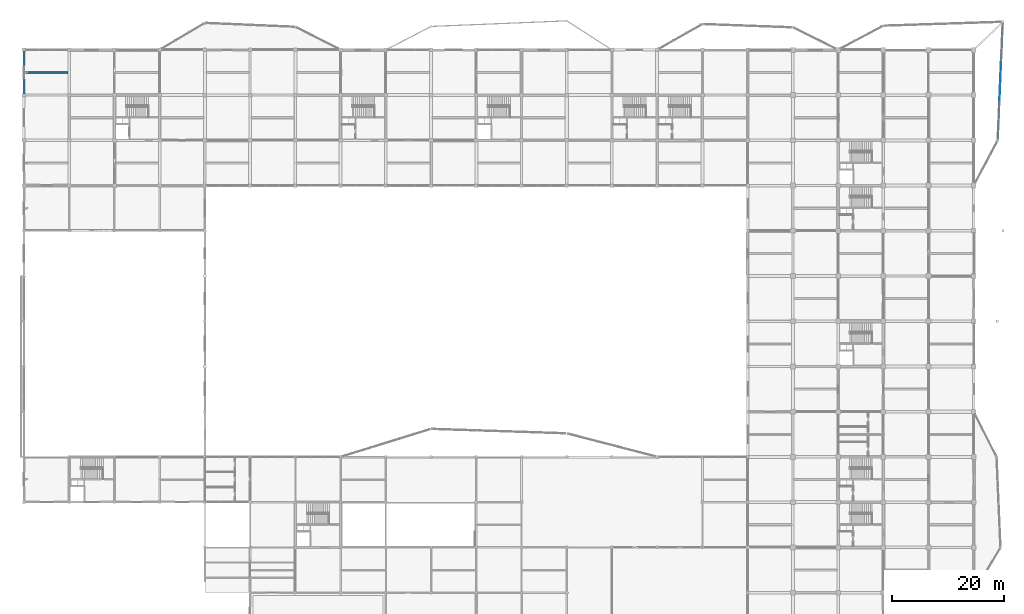
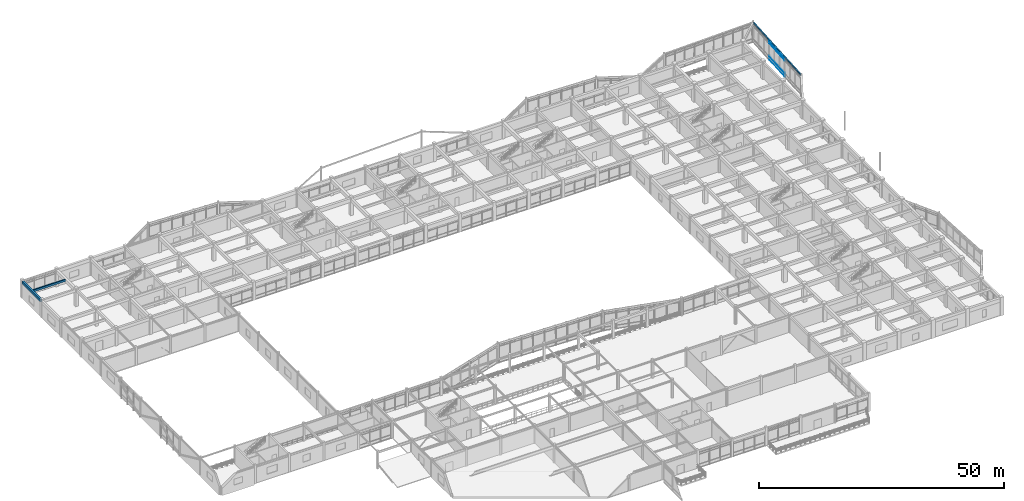
# One storey, part 42 of 93: 4 members, 3 beams, 1 element without a shape of its own.
"""IFC4 building model written with IfcOpenShell, lengths in metres."""

from ifc_helpers import new_model, si_unit, direction, frame, origin, origin_2d, place, context, subcontext, project, spatial, rectangle, i_section, extrude, material, layer, layer_set, material_profile, profile_set, type_object, element, aggregate, save


model = new_model("IFC4")

# Units and contexts
model_context = context("Model", 3, precision=1e-05, world=origin(), true_north=direction((0.0, 1.0)))
body_context = subcontext(model_context, "Body", "Model", "MODEL_VIEW")
ifc_project = project(units=[si_unit("LENGTHUNIT", "METRE"), si_unit("AREAUNIT", "SQUARE_METRE"), si_unit("VOLUMEUNIT", "CUBIC_METRE"), si_unit("PLANEANGLEUNIT", "RADIAN"), si_unit("MASSUNIT", "GRAM", prefix="KILO")], contexts=[model_context])

# Site, building, storey
site_placement = place(None, origin())
site = spatial("IfcSite", under=ifc_project, at=site_placement, CompositionType="ELEMENT")
building_placement = place(site_placement, origin())
building = spatial("IfcBuilding", under=site, at=building_placement, Name="Vaudrelin Polytechnic", CompositionType="ELEMENT")
storey_placement = place(building_placement, frame((0.0, 0.0, 5.10009765625)))
storey = spatial("IfcBuildingStorey", under=building, at=storey_placement, Name="L01", CompositionType="ELEMENT", Elevation=5.10009765625)

# Beams
ifc_material_1 = material(Name="Concrete 40 MPa", Category="concrete")
ifc_material_profile_1 = material_profile(ifc_material_1, rectangle(XDim=0.39990234375, YDim=0.64990234375, at=origin_2d()), Name="RC400x650")
ifc_profile_set_1 = profile_set([ifc_material_profile_1], Name="Concrete 40 MPa")
beam_type_1 = type_object("IfcBeamType", Name="BM-BM-RC4065", PredefinedType="BEAM", material=ifc_profile_set_1)
beam_1_placement = place(storey_placement, frame((0.0, 113.7099609375, 3.9248046875), z_axis=(0.0, 1.0, 0.0), x_axis=(-1.0, 0.0, 0.0)))
element("IfcBeam", 1, at=beam_1_placement, inside=storey, type_object=beam_type_1, Name="L01 Y-beam 1-15", PredefinedType="BEAM", context=body_context, shape_type="SweptSolid", body=[
    extrude(rectangle(XDim=0.39990234375, YDim=0.64990234375, at=origin_2d()), origin(), (0.0, 0.0, 1.0), 7.47998046875),
])
ifc_material_2 = material(Name="Steel CSA G40.21 350W", Category="steel")
ifc_material_profile_2 = material_profile(ifc_material_2, i_section(OverallWidth=0.280029296875, OverallDepth=0.462890625, WebThickness=0.0107421875, FlangeThickness=0.017333984375, FilletRadius=0.01806640625, at=origin_2d()), Name="W460x113")
ifc_profile_set_2 = profile_set([ifc_material_profile_2], Name="Steel CSA G40.21 350W")
beam_type_2 = type_object("IfcBeamType", Name="BM-BM-W460H", PredefinedType="BEAM", material=ifc_profile_set_2)
beam_2_placement = place(storey_placement, frame((175.294189453125, 126.360107421875, 4.078369140625), z_axis=(-0.042417646122, -0.999099966619, 0.0), x_axis=(0.999099966619, -0.042417646122, 0.0)))
element("IfcBeam", 2, at=beam_2_placement, inside=storey, type_object=beam_type_2, Name="Sculptural edge beam L01 NE_BM_3", PredefinedType="BEAM", context=body_context, shape_type="SweptSolid", body=[
    extrude(i_section(OverallWidth=0.280029296875, OverallDepth=0.462890625, WebThickness=0.0107421875, FlangeThickness=0.017333984375, FilletRadius=0.01806640625, at=origin_2d()), origin(), (0.0, 0.0, 1.0), 20.93896484375),
])
ifc_material_profile_3 = material_profile(ifc_material_1, rectangle(XDim=0.300048828125, YDim=0.5, at=origin_2d()), Name="RC300x500")
ifc_profile_set_3 = profile_set([ifc_material_profile_3], Name="Concrete 40 MPa")
beam_type_3 = type_object("IfcBeamType", Name="BM-JS-RC3050", PredefinedType="JOIST", material=ifc_profile_set_3)
beam_3_placement = place(storey_placement, frame((0.196044921875, 117.449951171875, 4.0), z_axis=(1.0, 0.0, 0.0), x_axis=(0.0, 1.0, 0.0)))
element("IfcBeam", 3, at=beam_3_placement, inside=storey, type_object=beam_type_3, Name="L01 floor joist 1-15", PredefinedType="JOIST", context=body_context, shape_type="SweptSolid", body=[
    extrude(rectangle(XDim=0.300048828125, YDim=0.5, at=origin_2d()), origin(), (0.0, 0.0, 1.0), 7.657958984375),
])

# Curtain wall, members
ifc_material_3 = material(Name="Thermally broken anodised aluminium AA 6063-T6 and low-e triple glazing", Category="aluminium")
ifc_layer = layer(ifc_material_3, 0.199951171875)
ifc_layer_set = layer_set([ifc_layer], Name="Thermally broken anodised aluminium AA 6063-T6 and low-e triple glazing")
curtain_wall_type = type_object("IfcCurtainWallType", Name="CW-CW-LAB", PredefinedType="USERDEFINED", material=ifc_layer_set)
curtain_wall_placement = place(storey_placement, origin())
curtain_wall = element("IfcCurtainWall", 4, at=curtain_wall_placement, inside=storey, type_object=curtain_wall_type, Name="Curtain wall L01 NEP_3_1", ObjectType="CURTAIN WALL", PredefinedType="USERDEFINED")
ifc_material_4 = material(Name="Anodised aluminium AA 6063-T6", Category="aluminium")
ifc_material_profile_4 = material_profile(ifc_material_4, rectangle(XDim=0.074951171875, YDim=0.1650390625, at=origin_2d()), Name="CWT-75x165")
ifc_profile_set_4 = profile_set([ifc_material_profile_4], Name="Anodised aluminium AA 6063-T6")
member_type = type_object("IfcMemberType", Name="MEM-CWT-165", PredefinedType="USERDEFINED", material=ifc_profile_set_4)
member_1_placement = place(storey_placement, frame((174.9951171875, 119.3203125, -0.580078125), z_axis=(-0.042403460566, -0.999100568778, 0.0), x_axis=(0.999100568778, -0.042403460566, 0.0)))
member_1 = element("IfcMember", 5, at=member_1_placement, type_object=member_type, Name="NEP_3_1 transom 1", ObjectType="TRANSOM", PredefinedType="USERDEFINED", context=body_context, shape_type="SweptSolid", body=[
    extrude(rectangle(XDim=0.074951171875, YDim=0.1650390625, at=origin_2d()), origin(), (0.0, 0.0, 1.0), 6.8974609375),
])
member_2_placement = place(storey_placement, frame((174.9951171875, 119.3203125, 0.219970703125), z_axis=(-0.042403460566, -0.999100568778, 0.0), x_axis=(0.999100568778, -0.042403460566, 0.0)))
member_2 = element("IfcMember", 6, at=member_2_placement, type_object=member_type, Name="NEP_3_1 transom 2", ObjectType="TRANSOM", PredefinedType="USERDEFINED", context=body_context, shape_type="SweptSolid", body=[
    extrude(rectangle(XDim=0.074951171875, YDim=0.1650390625, at=origin_2d()), origin(), (0.0, 0.0, 1.0), 6.8974609375),
])
member_3_placement = place(storey_placement, frame((174.9951171875, 119.3203125, 3.429931640625), z_axis=(-0.042403460566, -0.999100568778, 0.0), x_axis=(0.999100568778, -0.042403460566, 0.0)))
member_3 = element("IfcMember", 7, at=member_3_placement, type_object=member_type, Name="NEP_3_1 transom 3", ObjectType="TRANSOM", PredefinedType="USERDEFINED", context=body_context, shape_type="SweptSolid", body=[
    extrude(rectangle(XDim=0.074951171875, YDim=0.1650390625, at=origin_2d()), origin(), (0.0, 0.0, 1.0), 6.8974609375),
])
member_4_placement = place(storey_placement, frame((174.9951171875, 119.3203125, 3.929931640625), z_axis=(-0.042403460566, -0.999100568778, 0.0), x_axis=(0.999100568778, -0.042403460566, 0.0)))
member_4 = element("IfcMember", 8, at=member_4_placement, type_object=member_type, Name="NEP_3_1 transom 4", ObjectType="TRANSOM", PredefinedType="USERDEFINED", context=body_context, shape_type="SweptSolid", body=[
    extrude(rectangle(XDim=0.074951171875, YDim=0.1650390625, at=origin_2d()), origin(), (0.0, 0.0, 1.0), 6.8974609375),
])
aggregate(curtain_wall, [member_1, member_2, member_3, member_4])

save(model, "model.ifc")
